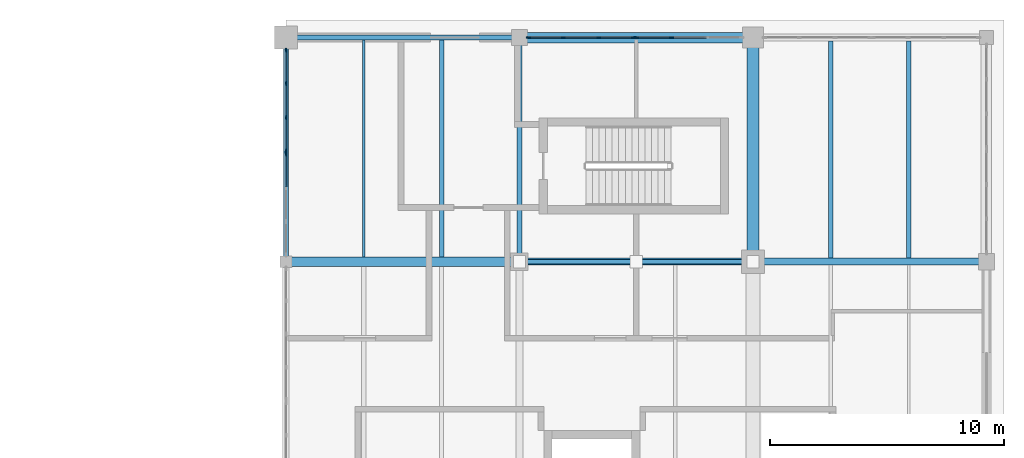
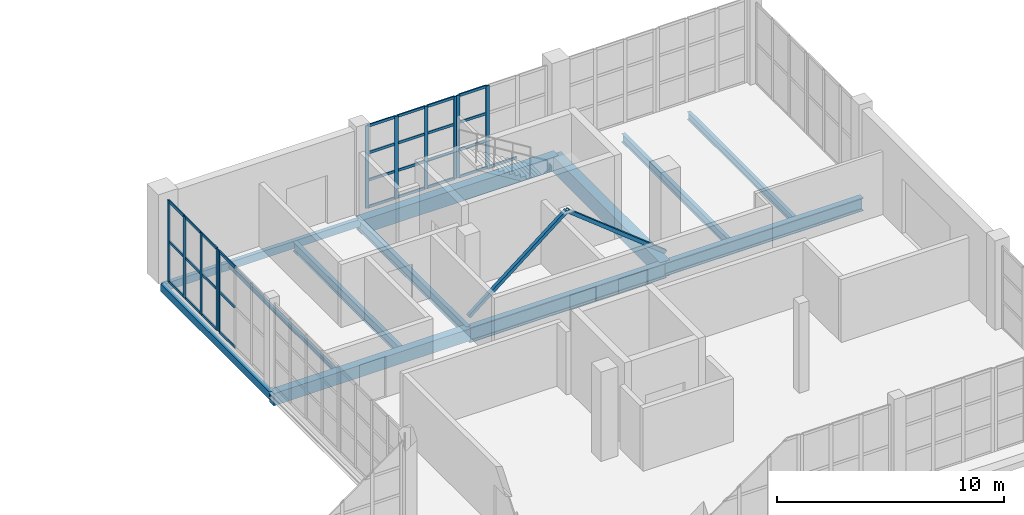
# One storey, part 69 of 121: 42 members, 12 beams, 4 elements without a shape of their own.
"""IFC4 building model written with IfcOpenShell, lengths in metres."""

from ifc_helpers import new_model, si_unit, direction, frame, origin, origin_2d, place, context, subcontext, project, spatial, rectangle, hollow_rectangle, i_section, extrude, material, layer, layer_set, material_profile, profile_set, type_object, element, aggregate, save


model = new_model("IFC4")

# Units and contexts
model_context = context("Model", 3, precision=1e-05, world=origin(), true_north=direction((0.0, 1.0)))
body_context = subcontext(model_context, "Body", "Model", "MODEL_VIEW")
ifc_project = project(units=[si_unit("LENGTHUNIT", "METRE"), si_unit("AREAUNIT", "SQUARE_METRE"), si_unit("VOLUMEUNIT", "CUBIC_METRE"), si_unit("PLANEANGLEUNIT", "RADIAN"), si_unit("MASSUNIT", "GRAM", prefix="KILO")], contexts=[model_context])

# Site, building, storey
site_placement = place(None, origin())
site = spatial("IfcSite", under=ifc_project, at=site_placement, CompositionType="ELEMENT")
building_placement = place(site_placement, origin())
building = spatial("IfcBuilding", under=site, at=building_placement, Name="Zereglee Splitstone Museum", CompositionType="ELEMENT")
storey_placement = place(building_placement, origin())
storey = spatial("IfcBuildingStorey", under=building, at=storey_placement, Name="L00", CompositionType="ELEMENT", Elevation=0.0)

# Beams
ifc_material_1 = material(Name="Concrete C40/50", Category="concrete")
ifc_material_profile_1 = material_profile(ifc_material_1, rectangle(XDim=0.39990234375, YDim=0.64990234375, at=origin_2d()), Name="RC 400x650")
ifc_profile_set_1 = profile_set([ifc_material_profile_1], Name="Concrete C40/50")
beam_type_1 = type_object("IfcBeamType", Name="BG-04", PredefinedType="BEAM", material=ifc_profile_set_1)
beam_1_placement = place(storey_placement, frame((296.0, 50.39990234375, -0.7451171875), z_axis=(1.0, 0.0, 0.0), x_axis=(0.0, 1.0, 0.0)))
element("IfcBeam", 1, at=beam_1_placement, inside=storey, type_object=beam_type_1, Name="Primary Girder L00 F (296.0-306.0)", PredefinedType="BEAM", context=body_context, shape_type="SweptSolid", body=[
    extrude(rectangle(XDim=0.39990234375, YDim=0.64990234375, at=origin_2d()), origin(), (0.0, 0.0, 1.0), 10.0),
])
ifc_material_profile_2 = material_profile(ifc_material_1, rectangle(XDim=0.5, YDim=0.85009765625, at=origin_2d()), Name="RC 500x850")
ifc_profile_set_2 = profile_set([ifc_material_profile_2], Name="Concrete C40/50")
beam_type_2 = type_object("IfcBeamType", Name="BG-02", PredefinedType="BEAM", material=ifc_profile_set_2)
beam_2_placement = place(storey_placement, frame((316.0, 50.39990234375, -0.844970703125), z_axis=(0.0, 1.0, 0.0), x_axis=(-1.0, 0.0, 0.0)))
element("IfcBeam", 2, at=beam_2_placement, inside=storey, type_object=beam_type_2, Name="Primary Girder L00 35 (50.4-60.0)", PredefinedType="BEAM", context=body_context, shape_type="SweptSolid", body=[
    extrude(rectangle(XDim=0.5, YDim=0.85009765625, at=origin_2d()), origin(), (0.0, 0.0, 1.0), 9.60009765625),
])

# Members
ifc_material_2 = material(Name="Steel S355J2H", Category="steel")
ifc_material_profile_3 = material_profile(ifc_material_2, hollow_rectangle(XDim=0.179931640625, YDim=0.179931640625, WallThickness=0.010009765625, at=origin_2d()), Name="SHS 180x180x10")
ifc_profile_set_3 = profile_set([ifc_material_profile_3], Name="Steel S355J2H")
member_type_1 = type_object("IfcMemberType", Name="TB-08", PredefinedType="BRACE", material=ifc_profile_set_3)
for number, where, z_axis, x_axis, name in (
    (3, (306.0, 50.39990234375, 0.1201171875), (0.783921621613, 0.0, 0.620859799929), (0.0, 1.0, 0.0), "Lateral Braced Frame Chevron L00-022A"),
    (4, (316.0, 50.39990234375, 0.1201171875), (-0.783921621613, 0.0, 0.620859799929), (0.0, -1.0, 0.0), "Lateral Braced Frame Chevron L00-022B"),
):
    element("IfcMember", number, at=place(storey_placement, frame(where, z_axis=z_axis, x_axis=x_axis)), inside=storey, type_object=member_type_1, Name=name, PredefinedType="BRACE", context=body_context, shape_type="SweptSolid", body=[
        extrude(hollow_rectangle(XDim=0.179931640625, YDim=0.179931640625, WallThickness=0.010009765625, at=origin_2d()), origin(), (0.0, 0.0, 1.0), 6.378173828125),
    ])

# Curtain wall, members
ifc_material_3 = material(Name="Triple-glazed low-E argon glass and bronze-anodised aluminium", Category="aluminium")
ifc_layer_1 = layer(ifc_material_3, 0.179931640625)
ifc_layer_set_1 = layer_set([ifc_layer_1], Name="Triple-glazed low-E argon glass and bronze-anodised aluminium")
curtain_wall_type_1 = type_object("IfcCurtainWallType", Name="CW-0455-444", PredefinedType="USERDEFINED", material=ifc_layer_set_1)
curtain_wall_1_placement = place(storey_placement, origin())
curtain_wall_1 = element("IfcCurtainWall", 5, at=curtain_wall_1_placement, inside=storey, type_object=curtain_wall_type_1, Name="Glazed Curtain Wall CW-0455-444 (L00)", ObjectType="GLAZED CURTAIN WALL", PredefinedType="USERDEFINED")
ifc_material_4 = material(Name="Thermally broken bronze-anodised aluminium", Category="aluminium")
ifc_material_profile_4 = material_profile(ifc_material_4, rectangle(XDim=0.06494140625, YDim=0.179931640625, at=origin_2d()), Name="CW MULL 65x180")
ifc_profile_set_4 = profile_set([ifc_material_profile_4], Name="Thermally broken bronze-anodised aluminium")
member_type_2 = type_object("IfcMemberType", Name="CWM-01", PredefinedType="MULLION", material=ifc_profile_set_4)
member_1_placement = place(storey_placement, frame((312.50732421875, 60.0, 0.0), z_axis=(0.0, 0.0, 1.0), x_axis=(0.0, -1.0, 0.0)))
member_1 = element("IfcMember", 6, at=member_1_placement, type_object=member_type_2, Name="CW-0455-444 mullion 3", PredefinedType="MULLION", context=body_context, shape_type="SweptSolid", body=[
    extrude(rectangle(XDim=0.06494140625, YDim=0.179931640625, at=origin_2d()), origin(), (0.0, 0.0, 1.0), 4.43994140625),
])
member_2_placement = place(storey_placement, frame((311.0224609375, 60.0, 0.0), z_axis=(0.0, 0.0, 1.0), x_axis=(0.0, -1.0, 0.0)))
member_2 = element("IfcMember", 7, at=member_2_placement, type_object=member_type_2, Name="CW-0455-444 mullion 4", PredefinedType="MULLION", context=body_context, shape_type="SweptSolid", body=[
    extrude(rectangle(XDim=0.06494140625, YDim=0.179931640625, at=origin_2d()), origin(), (0.0, 0.0, 1.0), 4.43994140625),
])

ifc_layer_2 = layer(ifc_material_3, 0.179931640625)
ifc_layer_set_2 = layer_set([ifc_layer_2], Name="Triple-glazed low-E argon glass and bronze-anodised aluminium")
curtain_wall_type_2 = type_object("IfcCurtainWallType", Name="CW-0455-442", PredefinedType="USERDEFINED", material=ifc_layer_set_2)
curtain_wall_2_placement = place(storey_placement, origin())
curtain_wall_2 = element("IfcCurtainWall", 8, at=curtain_wall_2_placement, inside=storey, type_object=curtain_wall_type_2, Name="Glazed Curtain Wall CW-0455-442 (L00)", ObjectType="GLAZED CURTAIN WALL", PredefinedType="USERDEFINED")
member_3_placement = place(storey_placement, frame((310.87744140625, 60.0, 0.0), z_axis=(0.0, 0.0, 1.0), x_axis=(0.0, -1.0, 0.0)))
member_3 = element("IfcMember", 9, at=member_3_placement, type_object=member_type_2, Name="CW-0455-442 mullion 1", PredefinedType="MULLION", context=body_context, shape_type="SweptSolid", body=[
    extrude(rectangle(XDim=0.06494140625, YDim=0.179931640625, at=origin_2d()), origin(), (0.0, 0.0, 1.0), 4.419921875),
])
member_4_placement = place(storey_placement, frame((309.392578125, 60.0, 0.0), z_axis=(0.0, 0.0, 1.0), x_axis=(0.0, -1.0, 0.0)))
member_4 = element("IfcMember", 10, at=member_4_placement, type_object=member_type_2, Name="CW-0455-442 mullion 2", PredefinedType="MULLION", context=body_context, shape_type="SweptSolid", body=[
    extrude(rectangle(XDim=0.06494140625, YDim=0.179931640625, at=origin_2d()), origin(), (0.0, 0.0, 1.0), 4.419921875),
])
member_5_placement = place(storey_placement, frame((307.875244140625, 60.0, 0.0), z_axis=(0.0, 0.0, 1.0), x_axis=(0.0, -1.0, 0.0)))
member_5 = element("IfcMember", 11, at=member_5_placement, type_object=member_type_2, Name="CW-0455-442 mullion 3", PredefinedType="MULLION", context=body_context, shape_type="SweptSolid", body=[
    extrude(rectangle(XDim=0.06494140625, YDim=0.179931640625, at=origin_2d()), origin(), (0.0, 0.0, 1.0), 4.419921875),
])
member_6_placement = place(storey_placement, frame((306.390380859375, 60.0, 0.0), z_axis=(0.0, 0.0, 1.0), x_axis=(0.0, -1.0, 0.0)))
member_6 = element("IfcMember", 12, at=member_6_placement, type_object=member_type_2, Name="CW-0455-442 mullion 4", PredefinedType="MULLION", context=body_context, shape_type="SweptSolid", body=[
    extrude(rectangle(XDim=0.06494140625, YDim=0.179931640625, at=origin_2d()), origin(), (0.0, 0.0, 1.0), 4.419921875),
])

ifc_layer_3 = layer(ifc_material_3, 0.179931640625)
ifc_layer_set_3 = layer_set([ifc_layer_3], Name="Triple-glazed low-E argon glass and bronze-anodised aluminium")
curtain_wall_type_3 = type_object("IfcCurtainWallType", Name="CW-0438-438", PredefinedType="USERDEFINED", material=ifc_layer_set_3)
curtain_wall_3_placement = place(storey_placement, origin())
curtain_wall_3 = element("IfcCurtainWall", 13, at=curtain_wall_3_placement, inside=storey, type_object=curtain_wall_type_3, Name="Glazed Curtain Wall CW-0438-438 (L00)", ObjectType="GLAZED CURTAIN WALL", PredefinedType="USERDEFINED")
member_7_placement = place(storey_placement, frame((296.0, 59.45947265625, 0.0), z_axis=(0.0, 0.0, 1.0), x_axis=(1.0, 0.0, 0.0)))
member_7 = element("IfcMember", 14, at=member_7_placement, type_object=member_type_2, Name="CW-0438-438 mullion 1", PredefinedType="MULLION", context=body_context, shape_type="SweptSolid", body=[
    extrude(rectangle(XDim=0.06494140625, YDim=0.179931640625, at=origin_2d()), origin(), (0.0, 0.0, 1.0), 4.3798828125),
])
member_8_placement = place(storey_placement, frame((296.0, 58.032958984375, 0.0), z_axis=(0.0, 0.0, 1.0), x_axis=(1.0, 0.0, 0.0)))
member_8 = element("IfcMember", 15, at=member_8_placement, type_object=member_type_2, Name="CW-0438-438 mullion 2", PredefinedType="MULLION", context=body_context, shape_type="SweptSolid", body=[
    extrude(rectangle(XDim=0.06494140625, YDim=0.179931640625, at=origin_2d()), origin(), (0.0, 0.0, 1.0), 4.3798828125),
])
member_9_placement = place(storey_placement, frame((296.0, 56.573974609375, 0.0), z_axis=(0.0, 0.0, 1.0), x_axis=(1.0, 0.0, 0.0)))
member_9 = element("IfcMember", 16, at=member_9_placement, type_object=member_type_2, Name="CW-0438-438 mullion 3", PredefinedType="MULLION", context=body_context, shape_type="SweptSolid", body=[
    extrude(rectangle(XDim=0.06494140625, YDim=0.179931640625, at=origin_2d()), origin(), (0.0, 0.0, 1.0), 4.3798828125),
])
member_10_placement = place(storey_placement, frame((296.0, 55.1474609375, 0.0), z_axis=(0.0, 0.0, 1.0), x_axis=(1.0, 0.0, 0.0)))
member_10 = element("IfcMember", 17, at=member_10_placement, type_object=member_type_2, Name="CW-0438-438 mullion 4", PredefinedType="MULLION", context=body_context, shape_type="SweptSolid", body=[
    extrude(rectangle(XDim=0.06494140625, YDim=0.179931640625, at=origin_2d()), origin(), (0.0, 0.0, 1.0), 4.3798828125),
])

# Curtain wall, member
ifc_layer_4 = layer(ifc_material_3, 0.179931640625)
ifc_layer_set_4 = layer_set([ifc_layer_4], Name="Triple-glazed low-E argon glass and bronze-anodised aluminium")
curtain_wall_type_4 = type_object("IfcCurtainWallType", Name="CW-0438-436", PredefinedType="USERDEFINED", material=ifc_layer_set_4)
curtain_wall_4_placement = place(storey_placement, origin())
curtain_wall_4 = element("IfcCurtainWall", 18, at=curtain_wall_4_placement, inside=storey, type_object=curtain_wall_type_4, Name="Glazed Curtain Wall CW-0438-436 (L00)", ObjectType="GLAZED CURTAIN WALL", PredefinedType="USERDEFINED")
member_11_placement = place(storey_placement, frame((296.0, 55.00244140625, 0.0), z_axis=(0.0, 0.0, 1.0), x_axis=(1.0, 0.0, 0.0)))
member_11 = element("IfcMember", 19, at=member_11_placement, type_object=member_type_2, Name="CW-0438-436 mullion 1", PredefinedType="MULLION", context=body_context, shape_type="SweptSolid", body=[
    extrude(rectangle(XDim=0.06494140625, YDim=0.179931640625, at=origin_2d()), origin(), (0.0, 0.0, 1.0), 4.360107421875),
])

# Member
ifc_material_profile_5 = material_profile(ifc_material_4, rectangle(XDim=0.06494140625, YDim=0.139892578125, at=origin_2d()), Name="CW TRAN 65x140")
ifc_profile_set_5 = profile_set([ifc_material_profile_5], Name="Thermally broken bronze-anodised aluminium")
member_type_3 = type_object("IfcMemberType", Name="CWT-01", PredefinedType="USERDEFINED", material=ifc_profile_set_5)
member_12_placement = place(storey_placement, frame((313.9921875, 60.0, 0.032470703125), z_axis=(-1.0, 0.0, 0.0), x_axis=(0.0, -1.0, 0.0)))
member_12 = element("IfcMember", 20, at=member_12_placement, type_object=member_type_3, Name="CW-0455-444 transom 2.1", ObjectType="TRANSOM", PredefinedType="USERDEFINED", context=body_context, shape_type="SweptSolid", body=[
    extrude(rectangle(XDim=0.06494140625, YDim=0.139892578125, at=origin_2d()), origin(), (0.0, 0.0, 1.0), 1.452392578125),
])

member_13_placement = place(storey_placement, frame((312.474853515625, 60.0, 0.032470703125), z_axis=(-1.0, 0.0, 0.0), x_axis=(0.0, -1.0, 0.0)))
member_13 = element("IfcMember", 21, at=member_13_placement, type_object=member_type_3, Name="CW-0455-444 transom 3.1", ObjectType="TRANSOM", PredefinedType="USERDEFINED", context=body_context, shape_type="SweptSolid", body=[
    extrude(rectangle(XDim=0.06494140625, YDim=0.139892578125, at=origin_2d()), origin(), (0.0, 0.0, 1.0), 1.419921875),
])

member_14_placement = place(storey_placement, frame((312.474853515625, 60.0, 1.47998046875), z_axis=(-1.0, 0.0, 0.0), x_axis=(0.0, -1.0, 0.0)))
member_14 = element("IfcMember", 22, at=member_14_placement, type_object=member_type_3, Name="CW-0455-444 transom 3.2", ObjectType="TRANSOM", PredefinedType="USERDEFINED", context=body_context, shape_type="SweptSolid", body=[
    extrude(rectangle(XDim=0.06494140625, YDim=0.139892578125, at=origin_2d()), origin(), (0.0, 0.0, 1.0), 1.419921875),
])

member_15_placement = place(storey_placement, frame((312.474853515625, 60.0, 2.9599609375), z_axis=(-1.0, 0.0, 0.0), x_axis=(0.0, -1.0, 0.0)))
member_15 = element("IfcMember", 23, at=member_15_placement, type_object=member_type_3, Name="CW-0455-444 transom 3.3", ObjectType="TRANSOM", PredefinedType="USERDEFINED", context=body_context, shape_type="SweptSolid", body=[
    extrude(rectangle(XDim=0.06494140625, YDim=0.139892578125, at=origin_2d()), origin(), (0.0, 0.0, 1.0), 1.419921875),
])

member_16_placement = place(storey_placement, frame((312.474853515625, 60.0, 4.407470703125), z_axis=(-1.0, 0.0, 0.0), x_axis=(0.0, -1.0, 0.0)))
member_16 = element("IfcMember", 24, at=member_16_placement, type_object=member_type_3, Name="CW-0455-444 transom 3.4", ObjectType="TRANSOM", PredefinedType="USERDEFINED", context=body_context, shape_type="SweptSolid", body=[
    extrude(rectangle(XDim=0.06494140625, YDim=0.139892578125, at=origin_2d()), origin(), (0.0, 0.0, 1.0), 1.419921875),
])

aggregate(curtain_wall_1, [member_1, member_2, member_12, member_13, member_14, member_15, member_16])

member_17_placement = place(storey_placement, frame((310.844970703125, 60.0, 0.032470703125), z_axis=(-1.0, 0.0, 0.0), x_axis=(0.0, -1.0, 0.0)))
member_17 = element("IfcMember", 25, at=member_17_placement, type_object=member_type_3, Name="CW-0455-442 transom 1.1", ObjectType="TRANSOM", PredefinedType="USERDEFINED", context=body_context, shape_type="SweptSolid", body=[
    extrude(rectangle(XDim=0.06494140625, YDim=0.139892578125, at=origin_2d()), origin(), (0.0, 0.0, 1.0), 1.419921875),
])

member_18_placement = place(storey_placement, frame((310.844970703125, 60.0, 1.473388671875), z_axis=(-1.0, 0.0, 0.0), x_axis=(0.0, -1.0, 0.0)))
member_18 = element("IfcMember", 26, at=member_18_placement, type_object=member_type_3, Name="CW-0455-442 transom 1.2", ObjectType="TRANSOM", PredefinedType="USERDEFINED", context=body_context, shape_type="SweptSolid", body=[
    extrude(rectangle(XDim=0.06494140625, YDim=0.139892578125, at=origin_2d()), origin(), (0.0, 0.0, 1.0), 1.419921875),
])

member_19_placement = place(storey_placement, frame((310.844970703125, 60.0, 2.94677734375), z_axis=(-1.0, 0.0, 0.0), x_axis=(0.0, -1.0, 0.0)))
member_19 = element("IfcMember", 27, at=member_19_placement, type_object=member_type_3, Name="CW-0455-442 transom 1.3", ObjectType="TRANSOM", PredefinedType="USERDEFINED", context=body_context, shape_type="SweptSolid", body=[
    extrude(rectangle(XDim=0.06494140625, YDim=0.139892578125, at=origin_2d()), origin(), (0.0, 0.0, 1.0), 1.419921875),
])

member_20_placement = place(storey_placement, frame((310.844970703125, 60.0, 4.387451171875), z_axis=(-1.0, 0.0, 0.0), x_axis=(0.0, -1.0, 0.0)))
member_20 = element("IfcMember", 28, at=member_20_placement, type_object=member_type_3, Name="CW-0455-442 transom 1.4", ObjectType="TRANSOM", PredefinedType="USERDEFINED", context=body_context, shape_type="SweptSolid", body=[
    extrude(rectangle(XDim=0.06494140625, YDim=0.139892578125, at=origin_2d()), origin(), (0.0, 0.0, 1.0), 1.419921875),
])

member_21_placement = place(storey_placement, frame((309.360107421875, 60.0, 0.032470703125), z_axis=(-1.0, 0.0, 0.0), x_axis=(0.0, -1.0, 0.0)))
member_21 = element("IfcMember", 29, at=member_21_placement, type_object=member_type_3, Name="CW-0455-442 transom 2.1", ObjectType="TRANSOM", PredefinedType="USERDEFINED", context=body_context, shape_type="SweptSolid", body=[
    extrude(rectangle(XDim=0.06494140625, YDim=0.139892578125, at=origin_2d()), origin(), (0.0, 0.0, 1.0), 1.452392578125),
])

member_22_placement = place(storey_placement, frame((309.360107421875, 60.0, 1.473388671875), z_axis=(-1.0, 0.0, 0.0), x_axis=(0.0, -1.0, 0.0)))
member_22 = element("IfcMember", 30, at=member_22_placement, type_object=member_type_3, Name="CW-0455-442 transom 2.2", ObjectType="TRANSOM", PredefinedType="USERDEFINED", context=body_context, shape_type="SweptSolid", body=[
    extrude(rectangle(XDim=0.06494140625, YDim=0.139892578125, at=origin_2d()), origin(), (0.0, 0.0, 1.0), 1.452392578125),
])

member_23_placement = place(storey_placement, frame((309.360107421875, 60.0, 2.94677734375), z_axis=(-1.0, 0.0, 0.0), x_axis=(0.0, -1.0, 0.0)))
member_23 = element("IfcMember", 31, at=member_23_placement, type_object=member_type_3, Name="CW-0455-442 transom 2.3", ObjectType="TRANSOM", PredefinedType="USERDEFINED", context=body_context, shape_type="SweptSolid", body=[
    extrude(rectangle(XDim=0.06494140625, YDim=0.139892578125, at=origin_2d()), origin(), (0.0, 0.0, 1.0), 1.452392578125),
])

member_24_placement = place(storey_placement, frame((309.360107421875, 60.0, 4.387451171875), z_axis=(-1.0, 0.0, 0.0), x_axis=(0.0, -1.0, 0.0)))
member_24 = element("IfcMember", 32, at=member_24_placement, type_object=member_type_3, Name="CW-0455-442 transom 2.4", ObjectType="TRANSOM", PredefinedType="USERDEFINED", context=body_context, shape_type="SweptSolid", body=[
    extrude(rectangle(XDim=0.06494140625, YDim=0.139892578125, at=origin_2d()), origin(), (0.0, 0.0, 1.0), 1.452392578125),
])

member_25_placement = place(storey_placement, frame((307.8427734375, 60.0, 0.032470703125), z_axis=(-1.0, 0.0, 0.0), x_axis=(0.0, -1.0, 0.0)))
member_25 = element("IfcMember", 33, at=member_25_placement, type_object=member_type_3, Name="CW-0455-442 transom 3.1", ObjectType="TRANSOM", PredefinedType="USERDEFINED", context=body_context, shape_type="SweptSolid", body=[
    extrude(rectangle(XDim=0.06494140625, YDim=0.139892578125, at=origin_2d()), origin(), (0.0, 0.0, 1.0), 1.419677734375),
])

member_26_placement = place(storey_placement, frame((307.8427734375, 60.0, 1.473388671875), z_axis=(-1.0, 0.0, 0.0), x_axis=(0.0, -1.0, 0.0)))
member_26 = element("IfcMember", 34, at=member_26_placement, type_object=member_type_3, Name="CW-0455-442 transom 3.2", ObjectType="TRANSOM", PredefinedType="USERDEFINED", context=body_context, shape_type="SweptSolid", body=[
    extrude(rectangle(XDim=0.06494140625, YDim=0.139892578125, at=origin_2d()), origin(), (0.0, 0.0, 1.0), 1.419677734375),
])

member_27_placement = place(storey_placement, frame((307.8427734375, 60.0, 2.94677734375), z_axis=(-1.0, 0.0, 0.0), x_axis=(0.0, -1.0, 0.0)))
member_27 = element("IfcMember", 35, at=member_27_placement, type_object=member_type_3, Name="CW-0455-442 transom 3.3", ObjectType="TRANSOM", PredefinedType="USERDEFINED", context=body_context, shape_type="SweptSolid", body=[
    extrude(rectangle(XDim=0.06494140625, YDim=0.139892578125, at=origin_2d()), origin(), (0.0, 0.0, 1.0), 1.419677734375),
])

member_28_placement = place(storey_placement, frame((307.8427734375, 60.0, 4.387451171875), z_axis=(-1.0, 0.0, 0.0), x_axis=(0.0, -1.0, 0.0)))
member_28 = element("IfcMember", 36, at=member_28_placement, type_object=member_type_3, Name="CW-0455-442 transom 3.4", ObjectType="TRANSOM", PredefinedType="USERDEFINED", context=body_context, shape_type="SweptSolid", body=[
    extrude(rectangle(XDim=0.06494140625, YDim=0.139892578125, at=origin_2d()), origin(), (0.0, 0.0, 1.0), 1.419677734375),
])

aggregate(curtain_wall_2, [member_3, member_4, member_5, member_6, member_17, member_18, member_19, member_20, member_21, member_22, member_23, member_24, member_25, member_26, member_27, member_28])

member_29_placement = place(storey_placement, frame((296.0, 59.427001953125, 0.032470703125), z_axis=(0.0, -1.0, 0.0), x_axis=(1.0, 0.0, 0.0)))
member_29 = element("IfcMember", 37, at=member_29_placement, type_object=member_type_3, Name="CW-0438-438 transom 1.1", ObjectType="TRANSOM", PredefinedType="USERDEFINED", context=body_context, shape_type="SweptSolid", body=[
    extrude(rectangle(XDim=0.06494140625, YDim=0.139892578125, at=origin_2d()), origin(), (0.0, 0.0, 1.0), 1.361572265625),
])

member_30_placement = place(storey_placement, frame((296.0, 59.427001953125, 2.18994140625), z_axis=(0.0, -1.0, 0.0), x_axis=(1.0, 0.0, 0.0)))
member_30 = element("IfcMember", 38, at=member_30_placement, type_object=member_type_3, Name="CW-0438-438 transom 1.2", ObjectType="TRANSOM", PredefinedType="USERDEFINED", context=body_context, shape_type="SweptSolid", body=[
    extrude(rectangle(XDim=0.06494140625, YDim=0.139892578125, at=origin_2d()), origin(), (0.0, 0.0, 1.0), 1.361572265625),
])

member_31_placement = place(storey_placement, frame((296.0, 59.427001953125, 4.347412109375), z_axis=(0.0, -1.0, 0.0), x_axis=(1.0, 0.0, 0.0)))
member_31 = element("IfcMember", 39, at=member_31_placement, type_object=member_type_3, Name="CW-0438-438 transom 1.3", ObjectType="TRANSOM", PredefinedType="USERDEFINED", context=body_context, shape_type="SweptSolid", body=[
    extrude(rectangle(XDim=0.06494140625, YDim=0.139892578125, at=origin_2d()), origin(), (0.0, 0.0, 1.0), 1.361572265625),
])

member_32_placement = place(storey_placement, frame((296.0, 58.00048828125, 0.032470703125), z_axis=(0.0, -1.0, 0.0), x_axis=(1.0, 0.0, 0.0)))
member_32 = element("IfcMember", 40, at=member_32_placement, type_object=member_type_3, Name="CW-0438-438 transom 2.1", ObjectType="TRANSOM", PredefinedType="USERDEFINED", context=body_context, shape_type="SweptSolid", body=[
    extrude(rectangle(XDim=0.06494140625, YDim=0.139892578125, at=origin_2d()), origin(), (0.0, 0.0, 1.0), 1.39404296875),
])

member_33_placement = place(storey_placement, frame((296.0, 58.00048828125, 2.18994140625), z_axis=(0.0, -1.0, 0.0), x_axis=(1.0, 0.0, 0.0)))
member_33 = element("IfcMember", 41, at=member_33_placement, type_object=member_type_3, Name="CW-0438-438 transom 2.2", ObjectType="TRANSOM", PredefinedType="USERDEFINED", context=body_context, shape_type="SweptSolid", body=[
    extrude(rectangle(XDim=0.06494140625, YDim=0.139892578125, at=origin_2d()), origin(), (0.0, 0.0, 1.0), 1.39404296875),
])

member_34_placement = place(storey_placement, frame((296.0, 58.00048828125, 4.347412109375), z_axis=(0.0, -1.0, 0.0), x_axis=(1.0, 0.0, 0.0)))
member_34 = element("IfcMember", 42, at=member_34_placement, type_object=member_type_3, Name="CW-0438-438 transom 2.3", ObjectType="TRANSOM", PredefinedType="USERDEFINED", context=body_context, shape_type="SweptSolid", body=[
    extrude(rectangle(XDim=0.06494140625, YDim=0.139892578125, at=origin_2d()), origin(), (0.0, 0.0, 1.0), 1.39404296875),
])

member_35_placement = place(storey_placement, frame((296.0, 56.54150390625, 0.032470703125), z_axis=(0.0, -1.0, 0.0), x_axis=(1.0, 0.0, 0.0)))
member_35 = element("IfcMember", 43, at=member_35_placement, type_object=member_type_3, Name="CW-0438-438 transom 3.1", ObjectType="TRANSOM", PredefinedType="USERDEFINED", context=body_context, shape_type="SweptSolid", body=[
    extrude(rectangle(XDim=0.06494140625, YDim=0.139892578125, at=origin_2d()), origin(), (0.0, 0.0, 1.0), 1.361572265625),
])

member_36_placement = place(storey_placement, frame((296.0, 56.54150390625, 2.18994140625), z_axis=(0.0, -1.0, 0.0), x_axis=(1.0, 0.0, 0.0)))
member_36 = element("IfcMember", 44, at=member_36_placement, type_object=member_type_3, Name="CW-0438-438 transom 3.2", ObjectType="TRANSOM", PredefinedType="USERDEFINED", context=body_context, shape_type="SweptSolid", body=[
    extrude(rectangle(XDim=0.06494140625, YDim=0.139892578125, at=origin_2d()), origin(), (0.0, 0.0, 1.0), 1.361572265625),
])

member_37_placement = place(storey_placement, frame((296.0, 56.54150390625, 4.347412109375), z_axis=(0.0, -1.0, 0.0), x_axis=(1.0, 0.0, 0.0)))
member_37 = element("IfcMember", 45, at=member_37_placement, type_object=member_type_3, Name="CW-0438-438 transom 3.3", ObjectType="TRANSOM", PredefinedType="USERDEFINED", context=body_context, shape_type="SweptSolid", body=[
    extrude(rectangle(XDim=0.06494140625, YDim=0.139892578125, at=origin_2d()), origin(), (0.0, 0.0, 1.0), 1.361572265625),
])

aggregate(curtain_wall_3, [member_7, member_8, member_9, member_10, member_29, member_30, member_31, member_32, member_33, member_34, member_35, member_36, member_37])

member_38_placement = place(storey_placement, frame((296.0, 54.969970703125, 0.032470703125), z_axis=(0.0, -1.0, 0.0), x_axis=(1.0, 0.0, 0.0)))
member_38 = element("IfcMember", 46, at=member_38_placement, type_object=member_type_3, Name="CW-0438-436 transom 1.1", ObjectType="TRANSOM", PredefinedType="USERDEFINED", context=body_context, shape_type="SweptSolid", body=[
    extrude(rectangle(XDim=0.06494140625, YDim=0.139892578125, at=origin_2d()), origin(), (0.0, 0.0, 1.0), 1.361572265625),
])

member_39_placement = place(storey_placement, frame((296.0, 54.969970703125, 2.179931640625), z_axis=(0.0, -1.0, 0.0), x_axis=(1.0, 0.0, 0.0)))
member_39 = element("IfcMember", 47, at=member_39_placement, type_object=member_type_3, Name="CW-0438-436 transom 1.2", ObjectType="TRANSOM", PredefinedType="USERDEFINED", context=body_context, shape_type="SweptSolid", body=[
    extrude(rectangle(XDim=0.06494140625, YDim=0.139892578125, at=origin_2d()), origin(), (0.0, 0.0, 1.0), 1.361572265625),
])

member_40_placement = place(storey_placement, frame((296.0, 54.969970703125, 4.327392578125), z_axis=(0.0, -1.0, 0.0), x_axis=(1.0, 0.0, 0.0)))
member_40 = element("IfcMember", 48, at=member_40_placement, type_object=member_type_3, Name="CW-0438-436 transom 1.3", ObjectType="TRANSOM", PredefinedType="USERDEFINED", context=body_context, shape_type="SweptSolid", body=[
    extrude(rectangle(XDim=0.06494140625, YDim=0.139892578125, at=origin_2d()), origin(), (0.0, 0.0, 1.0), 1.361572265625),
])

aggregate(curtain_wall_4, [member_11, member_38, member_39, member_40])

# Beams
ifc_material_5 = material(Name="Steel S355J2", Category="steel")
ifc_material_profile_6 = material_profile(ifc_material_5, i_section(OverallWidth=0.300048828125, OverallDepth=0.699951171875, WebThickness=0.01708984375, FlangeThickness=0.031982421875, FilletRadius=0.027099609375, at=origin_2d()), Name="HE 700 B")
ifc_profile_set_6 = profile_set([ifc_material_profile_6], Name="Steel S355J2")
beam_type_3 = type_object("IfcBeamType", Name="BG-08", PredefinedType="BEAM", material=ifc_profile_set_6)
beam_3_placement = place(storey_placement, frame((316.0, 50.39990234375, -0.77001953125), z_axis=(1.0, 0.0, 0.0), x_axis=(0.0, 1.0, 0.0)))
element("IfcBeam", 49, at=beam_3_placement, inside=storey, type_object=beam_type_3, Name="Primary Girder L00 F (316.0-326.0)", PredefinedType="BEAM", context=body_context, shape_type="SweptSolid", body=[
    extrude(i_section(OverallWidth=0.300048828125, OverallDepth=0.699951171875, WebThickness=0.01708984375, FlangeThickness=0.031982421875, FilletRadius=0.027099609375, at=origin_2d()), origin(), (0.0, 0.0, 1.0), 10.0),
])
ifc_material_profile_7 = material_profile(ifc_material_5, i_section(OverallWidth=0.300048828125, OverallDepth=0.800048828125, WebThickness=0.017578125, FlangeThickness=0.032958984375, FilletRadius=0.030029296875, at=origin_2d()), Name="HE 800 B")
ifc_profile_set_7 = profile_set([ifc_material_profile_7], Name="Steel S355J2")
beam_type_4 = type_object("IfcBeamType", Name="BG-07", PredefinedType="BEAM", material=ifc_profile_set_7)
beam_4_placement = place(storey_placement, frame((306.0, 50.39990234375, -0.820068359375), z_axis=(1.0, 0.0, 0.0), x_axis=(0.0, 1.0, 0.0)))
element("IfcBeam", 50, at=beam_4_placement, inside=storey, type_object=beam_type_4, Name="Primary Girder L00 F (306.0-316.0)", PredefinedType="BEAM", context=body_context, shape_type="SweptSolid", body=[
    extrude(i_section(OverallWidth=0.300048828125, OverallDepth=0.800048828125, WebThickness=0.017578125, FlangeThickness=0.032958984375, FilletRadius=0.030029296875, at=origin_2d()), origin(), (0.0, 0.0, 1.0), 10.0),
])
ifc_material_profile_8 = material_profile(ifc_material_5, i_section(OverallWidth=0.2099609375, OverallDepth=0.550048828125, WebThickness=0.010986328125, FlangeThickness=0.01708984375, FilletRadius=0.02392578125, at=origin_2d()), Name="IPE 550")
ifc_profile_set_8 = profile_set([ifc_material_profile_8], Name="Steel S355J2")
beam_type_5 = type_object("IfcBeamType", Name="BG-16", PredefinedType="BEAM", material=ifc_profile_set_8)
beam_5_placement = place(storey_placement, frame((306.0, 50.39990234375, -0.695068359375), z_axis=(0.0, 1.0, 0.0), x_axis=(-1.0, 0.0, 0.0)))
element("IfcBeam", 51, at=beam_5_placement, inside=storey, type_object=beam_type_5, Name="Primary Girder L00 34 (50.4-60.0)", PredefinedType="BEAM", context=body_context, shape_type="SweptSolid", body=[
    extrude(i_section(OverallWidth=0.2099609375, OverallDepth=0.550048828125, WebThickness=0.010986328125, FlangeThickness=0.01708984375, FilletRadius=0.02392578125, at=origin_2d()), origin(), (0.0, 0.0, 1.0), 9.60009765625),
])
ifc_material_profile_9 = material_profile(ifc_material_5, i_section(OverallWidth=0.1201171875, OverallDepth=0.239990234375, WebThickness=0.006103515625, FlangeThickness=0.009765625, FilletRadius=0.014892578125, at=origin_2d()), Name="IPE 240")
ifc_profile_set_9 = profile_set([ifc_material_profile_9], Name="Steel S355J2")
beam_type_6 = type_object("IfcBeamType", Name="BJ-07", PredefinedType="JOIST", material=ifc_profile_set_9)
beam_6_placement = place(storey_placement, frame((299.333251953125, 50.60009765625, -0.5400390625), z_axis=(0.0, 1.0, 0.0), x_axis=(-1.0, 0.0, 0.0)))
element("IfcBeam", 52, at=beam_6_placement, inside=storey, type_object=beam_type_6, Name="Secondary Floor Joist L00-0419", PredefinedType="JOIST", context=body_context, shape_type="SweptSolid", body=[
    extrude(i_section(OverallWidth=0.1201171875, OverallDepth=0.239990234375, WebThickness=0.006103515625, FlangeThickness=0.009765625, FilletRadius=0.014892578125, at=origin_2d()), origin(), (0.0, 0.0, 1.0), 9.2998046875),
])
ifc_material_profile_10 = material_profile(ifc_material_5, i_section(OverallWidth=0.179931640625, OverallDepth=0.39990234375, WebThickness=0.008544921875, FlangeThickness=0.013427734375, FilletRadius=0.02099609375, at=origin_2d()), Name="IPE 400")
ifc_profile_set_10 = profile_set([ifc_material_profile_10], Name="Steel S355J2")
beam_type_7 = type_object("IfcBeamType", Name="BJ-03", PredefinedType="JOIST", material=ifc_profile_set_10)
beam_7_placement = place(storey_placement, frame((322.666748046875, 50.550048828125, -0.6201171875), z_axis=(0.0, 1.0, 0.0), x_axis=(-1.0, 0.0, 0.0)))
element("IfcBeam", 53, at=beam_7_placement, inside=storey, type_object=beam_type_7, Name="Secondary Floor Joist L00-0422", PredefinedType="JOIST", context=body_context, shape_type="SweptSolid", body=[
    extrude(i_section(OverallWidth=0.179931640625, OverallDepth=0.39990234375, WebThickness=0.008544921875, FlangeThickness=0.013427734375, FilletRadius=0.02099609375, at=origin_2d()), origin(), (0.0, 0.0, 1.0), 9.300048828125),
])
ifc_material_profile_11 = material_profile(ifc_material_5, i_section(OverallWidth=0.18994140625, OverallDepth=0.449951171875, WebThickness=0.009521484375, FlangeThickness=0.0146484375, FilletRadius=0.02099609375, at=origin_2d()), Name="IPE 450")
ifc_profile_set_11 = profile_set([ifc_material_profile_11], Name="Steel S355J2")
beam_type_8 = type_object("IfcBeamType", Name="BJ-02", PredefinedType="JOIST", material=ifc_profile_set_11)
beam_8_placement = place(storey_placement, frame((319.333251953125, 50.550048828125, -0.64501953125), z_axis=(0.0, 1.0, 0.0), x_axis=(-1.0, 0.0, 0.0)))
element("IfcBeam", 54, at=beam_8_placement, inside=storey, type_object=beam_type_8, Name="Secondary Floor Joist L00-0421", PredefinedType="JOIST", context=body_context, shape_type="SweptSolid", body=[
    extrude(i_section(OverallWidth=0.18994140625, OverallDepth=0.449951171875, WebThickness=0.009521484375, FlangeThickness=0.0146484375, FilletRadius=0.02099609375, at=origin_2d()), origin(), (0.0, 0.0, 1.0), 9.300048828125),
])
ifc_material_profile_12 = material_profile(ifc_material_5, i_section(OverallWidth=0.199951171875, OverallDepth=0.5, WebThickness=0.01025390625, FlangeThickness=0.01611328125, FilletRadius=0.02099609375, at=origin_2d()), Name="IPE 500")
ifc_profile_set_12 = profile_set([ifc_material_profile_12], Name="Steel S355J2")
beam_type_9 = type_object("IfcBeamType", Name="BJ-01", PredefinedType="JOIST", material=ifc_profile_set_12)
beam_9_placement = place(storey_placement, frame((302.666748046875, 50.60009765625, -0.669921875), z_axis=(0.0, 1.0, 0.0), x_axis=(-1.0, 0.0, 0.0)))
element("IfcBeam", 55, at=beam_9_placement, inside=storey, type_object=beam_type_9, Name="Secondary Floor Joist L00-0420", PredefinedType="JOIST", context=body_context, shape_type="SweptSolid", body=[
    extrude(i_section(OverallWidth=0.199951171875, OverallDepth=0.5, WebThickness=0.01025390625, FlangeThickness=0.01611328125, FilletRadius=0.02099609375, at=origin_2d()), origin(), (0.0, 0.0, 1.0), 9.2998046875),
])
ifc_material_profile_13 = material_profile(ifc_material_1, rectangle(XDim=0.449951171875, YDim=0.75, at=origin_2d()), Name="RC 450x750")
ifc_profile_set_13 = profile_set([ifc_material_profile_13], Name="Concrete C40/50")
beam_type_10 = type_object("IfcBeamType", Name="SP-01", PredefinedType="SPANDREL", material=ifc_profile_set_13)
beam_10_placement = place(storey_placement, frame((306.0, 60.0, -0.794921875), z_axis=(1.0, 0.0, 0.0), x_axis=(0.0, 1.0, 0.0)))
element("IfcBeam", 56, at=beam_10_placement, inside=storey, type_object=beam_type_10, Name="Primary Girder L00 G (306.0-316.0)", PredefinedType="SPANDREL", context=body_context, shape_type="SweptSolid", body=[
    extrude(rectangle(XDim=0.449951171875, YDim=0.75, at=origin_2d()), origin(), (0.0, 0.0, 1.0), 10.0),
])
ifc_material_profile_14 = material_profile(ifc_material_2, hollow_rectangle(XDim=0.199951171875, YDim=0.39990234375, WallThickness=0.01611328125, at=origin_2d()), Name="RHS 400x200x16")
ifc_profile_set_14 = profile_set([ifc_material_profile_14], Name="Steel S355J2H")
beam_type_11 = type_object("IfcBeamType", Name="SP-04", PredefinedType="SPANDREL", material=ifc_profile_set_14)
beam_11_placement = place(storey_placement, frame((296.0, 60.0, -0.6201171875), z_axis=(1.0, 0.0, 0.0), x_axis=(0.0, 1.0, 0.0)))
element("IfcBeam", 57, at=beam_11_placement, inside=storey, type_object=beam_type_11, Name="Primary Girder L00 G (296.0-306.0)", PredefinedType="SPANDREL", context=body_context, shape_type="SweptSolid", body=[
    extrude(hollow_rectangle(XDim=0.199951171875, YDim=0.39990234375, WallThickness=0.01611328125, at=origin_2d()), origin(), (0.0, 0.0, 1.0), 10.0),
])
beam_12_placement = place(storey_placement, frame((296.0, 50.39990234375, -0.6201171875), z_axis=(0.0, 1.0, 0.0), x_axis=(-1.0, 0.0, 0.0)))
element("IfcBeam", 58, at=beam_12_placement, inside=storey, type_object=beam_type_11, Name="Primary Girder L00 33 (50.4-60.0)", PredefinedType="SPANDREL", context=body_context, shape_type="SweptSolid", body=[
    extrude(hollow_rectangle(XDim=0.199951171875, YDim=0.39990234375, WallThickness=0.01611328125, at=origin_2d()), origin(), (0.0, 0.0, 1.0), 9.60009765625),
])

save(model, "model.ifc")
